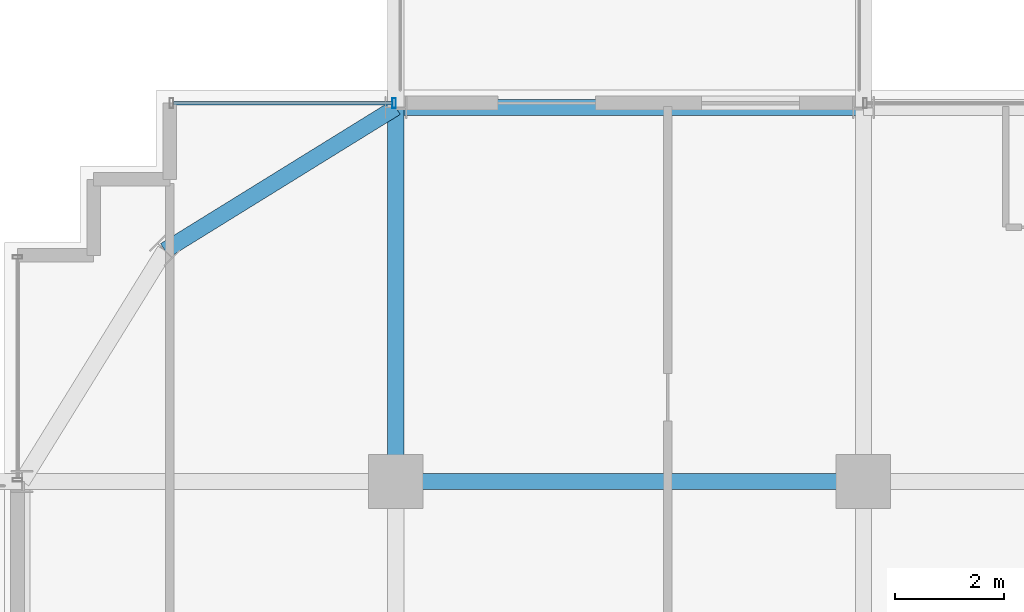
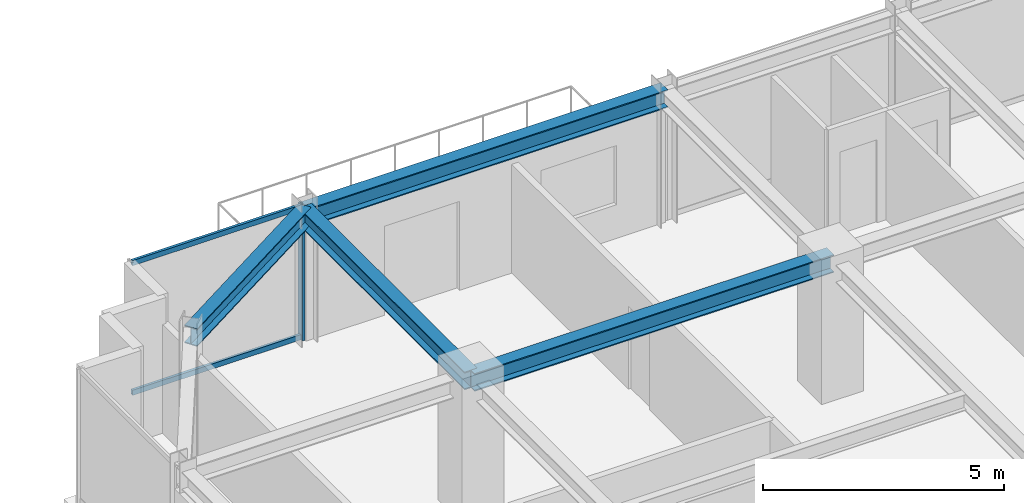
# One storey, part 21 of 36: 4 beams, 3 members, 1 element without a shape of its own.
"""IFC4 building model written with IfcOpenShell, lengths in metres."""

from ifc_helpers import new_model, si_unit, direction, frame, origin, origin_2d, place, context, subcontext, project, spatial, hollow_rectangle, i_section, extrude, source, transform, mapped, material, material_profile, profile_set, type_object, element, aggregate, save


model = new_model("IFC4")

# Units and contexts
model_context = context("Model", 3, precision=1e-05, world=origin(), true_north=direction((0.0, 1.0)))
body_context = subcontext(model_context, "Body", "Model", "MODEL_VIEW")
ifc_project = project(units=[si_unit("LENGTHUNIT", "METRE"), si_unit("AREAUNIT", "SQUARE_METRE"), si_unit("VOLUMEUNIT", "CUBIC_METRE"), si_unit("PLANEANGLEUNIT", "RADIAN"), si_unit("MASSUNIT", "GRAM", prefix="KILO")], contexts=[model_context])

# Site, building, storey
site_placement = place(None, origin())
site = spatial("IfcSite", under=ifc_project, at=site_placement, CompositionType="ELEMENT")
building_placement = place(site_placement, origin())
building = spatial("IfcBuilding", under=site, at=building_placement, Name="Nahalor Promenade Grand Hotel", CompositionType="ELEMENT")
storey_placement = place(building_placement, frame((0.0, 0.0, 241.89990234375)))
storey = spatial("IfcBuildingStorey", under=building, at=storey_placement, Name="L62", CompositionType="ELEMENT", Elevation=241.89990234375)

# Beams
ifc_material_1 = material(Name="Steel S355JR", Category="steel")
ifc_material_profile_1 = material_profile(ifc_material_1, i_section(OverallWidth=0.3, OverallDepth=0.45, WebThickness=0.014, FlangeThickness=0.026, at=origin_2d()), Name="HEB 450")
ifc_profile_set_1 = profile_set([ifc_material_profile_1], Name="Steel S355JR")
beam_type_1 = type_object("IfcBeamType", Name="Beam-Spandrel-HEB450", PredefinedType="SPANDREL", material=ifc_profile_set_1)
shared_shape_1 = source(origin(), body_context, "Body", "SweptSolid", [
    extrude(i_section(OverallWidth=0.3, OverallDepth=0.45, WebThickness=0.014, FlangeThickness=0.026, at=origin_2d()), origin(), (0.0, 0.0, 1.0), 8.60009765625),
])
beam_1_placement = place(storey_placement, frame((-17.0, 23.8798828125, 3.18505859375), z_axis=(1.0, 0.0, 0.0), x_axis=(0.0, 1.0, 0.0)))
element("IfcBeam", 1, at=beam_1_placement, inside=storey, type_object=beam_type_1, Name="BM-L62-SP-N-0", PredefinedType="SPANDREL", context=body_context, shape_type="MappedRepresentation", body=[
    mapped(shared_shape_1, transform((0.0, 0.0, 0.0), scale=1.0)),
])
shared_shape_2 = source(origin(), body_context, "Body", "SweptSolid", [
    extrude(i_section(OverallWidth=0.3, OverallDepth=0.45, WebThickness=0.014, FlangeThickness=0.026, at=origin_2d()), origin(), (0.0, 0.0, 1.0), 4.997802734375),
])
beam_2_placement = place(storey_placement, frame((-17.0, 23.8798828125, 3.18505859375), z_axis=(-0.850360908404, -0.526199891161, 0.0), x_axis=(0.526199891161, -0.850360908404, 0.0)))
element("IfcBeam", 2, at=beam_2_placement, inside=storey, type_object=beam_type_1, Name="BM-L62-SPC-NW-1", PredefinedType="SPANDREL", context=body_context, shape_type="MappedRepresentation", body=[
    mapped(shared_shape_2, transform((0.0, 0.0, 0.0), scale=1.0)),
])
ifc_material_profile_2 = material_profile(ifc_material_1, i_section(OverallWidth=0.3, OverallDepth=0.45, WebThickness=0.014, FlangeThickness=0.026, at=origin_2d()), Name="HEB 450")
ifc_profile_set_2 = profile_set([ifc_material_profile_2], Name="Steel S355JR")
beam_type_2 = type_object("IfcBeamType", Name="Beam-Girder-HEB450", PredefinedType="BEAM", material=ifc_profile_set_2)
shared_shape_3 = source(origin(), body_context, "Body", "SweptSolid", [
    extrude(i_section(OverallWidth=0.3, OverallDepth=0.45, WebThickness=0.014, FlangeThickness=0.026, at=origin_2d()), origin(), (0.0, 0.0, 1.0), 6.8798828125),
])
beam_3_placement = place(storey_placement, frame((-17.0, 17.0, 3.18505859375), z_axis=(0.0, 1.0, 0.0), x_axis=(-1.0, 0.0, 0.0)))
element("IfcBeam", 3, at=beam_3_placement, inside=storey, type_object=beam_type_2, Name="BM-L62-GY-0-4", PredefinedType="BEAM", context=body_context, shape_type="MappedRepresentation", body=[
    mapped(shared_shape_3, transform((0.0, 0.0, 0.0), scale=1.0)),
])
shared_shape_4 = source(origin(), body_context, "Body", "SweptSolid", [
    extrude(i_section(OverallWidth=0.3, OverallDepth=0.45, WebThickness=0.014, FlangeThickness=0.026, at=origin_2d()), origin(), (0.0, 0.0, 1.0), 8.60009765625),
])
beam_4_placement = place(storey_placement, frame((-17.0, 17.0, 3.18505859375), z_axis=(1.0, 0.0, 0.0), x_axis=(0.0, 1.0, 0.0)))
element("IfcBeam", 4, at=beam_4_placement, inside=storey, type_object=beam_type_2, Name="BM-L62-GX-3-1", PredefinedType="BEAM", context=body_context, shape_type="MappedRepresentation", body=[
    mapped(shared_shape_4, transform((0.0, 0.0, 0.0), scale=1.0)),
])

# Curtain wall, members
ifc_material_2 = material(Name="Anodised Bronze Aluminium EN AW-6063 T6", Category="aluminium")
curtain_wall_type = type_object("IfcCurtainWallType", Name="CW2 Typical Hotel Flush Bronze Unitised Curtain Wall", PredefinedType="USERDEFINED", material=ifc_material_2)
curtain_wall_placement = place(storey_placement, origin())
curtain_wall = element("IfcCurtainWall", 5, at=curtain_wall_placement, inside=storey, type_object=curtain_wall_type, Name="L62 Curtain Wall CW-L62-N-1", ObjectType="UNITISED_CURTAIN_WALL", PredefinedType="USERDEFINED")
ifc_material_profile_3 = material_profile(ifc_material_2, hollow_rectangle(XDim=0.065, YDim=0.18, WallThickness=0.004, at=origin_2d()), Name="CWM 65x180x4")
ifc_profile_set_3 = profile_set([ifc_material_profile_3], Name="Anodised Bronze Aluminium EN AW-6063 T6")
member_type_1 = type_object("IfcMemberType", Name="CWM2 Typical Bronze Mullion 65x180", PredefinedType="MULLION", material=ifc_profile_set_3)
shared_shape_5 = source(origin(), body_context, "Body", "SweptSolid", [
    extrude(hollow_rectangle(XDim=0.065, YDim=0.18, WallThickness=0.004, at=origin_2d()), origin(), (0.0, 0.0, 1.0), 3.41015625),
])
member_1_placement = place(storey_placement, frame((-17.032470703125, 23.9599609375, 0.0), z_axis=(0.0, 0.0, 1.0), x_axis=(1.0, 0.0, 0.0)))
member_1 = element("IfcMember", 6, at=member_1_placement, type_object=member_type_1, Name="CW-L62-N-1 Mullion 1", PredefinedType="MULLION", context=body_context, shape_type="MappedRepresentation", body=[
    mapped(shared_shape_5, transform((0.0, 0.0, 0.0), scale=1.0)),
])
ifc_material_profile_4 = material_profile(ifc_material_2, hollow_rectangle(XDim=0.065, YDim=0.13, WallThickness=0.004, at=origin_2d()), Name="CWT 65x130x4")
ifc_profile_set_4 = profile_set([ifc_material_profile_4], Name="Anodised Bronze Aluminium EN AW-6063 T6")
member_type_2 = type_object("IfcMemberType", Name="CWT2 Typical Bronze Transom 65x130", PredefinedType="USERDEFINED", material=ifc_profile_set_4)
shared_shape_6 = source(origin(), body_context, "Body", "SweptSolid", [
    extrude(hollow_rectangle(XDim=0.065, YDim=0.13, WallThickness=0.004, at=origin_2d()), origin(), (0.0, 0.0, 1.0), 4.030029296875),
])
member_2_placement = place(storey_placement, frame((-21.094970703125, 23.9599609375, 0.065185546875), z_axis=(1.0, 0.0, 0.0), x_axis=(0.0, 1.0, 0.0)))
member_2 = element("IfcMember", 7, at=member_2_placement, type_object=member_type_2, Name="CW-L62-N-1 Transom 0-0", ObjectType="TRANSOM", PredefinedType="USERDEFINED", context=body_context, shape_type="MappedRepresentation", body=[
    mapped(shared_shape_6, transform((0.0, 0.0, 0.0), scale=1.0)),
])
member_3_placement = place(storey_placement, frame((-21.094970703125, 23.9599609375, 3.34521484375), z_axis=(1.0, 0.0, 0.0), x_axis=(0.0, 1.0, 0.0)))
member_3 = element("IfcMember", 8, at=member_3_placement, type_object=member_type_2, Name="CW-L62-N-1 Transom 0-1", ObjectType="TRANSOM", PredefinedType="USERDEFINED", context=body_context, shape_type="MappedRepresentation", body=[
    mapped(shared_shape_6, transform((0.0, 0.0, 0.0), scale=1.0)),
])
aggregate(curtain_wall, [member_1, member_2, member_3])

save(model, "model.ifc")
